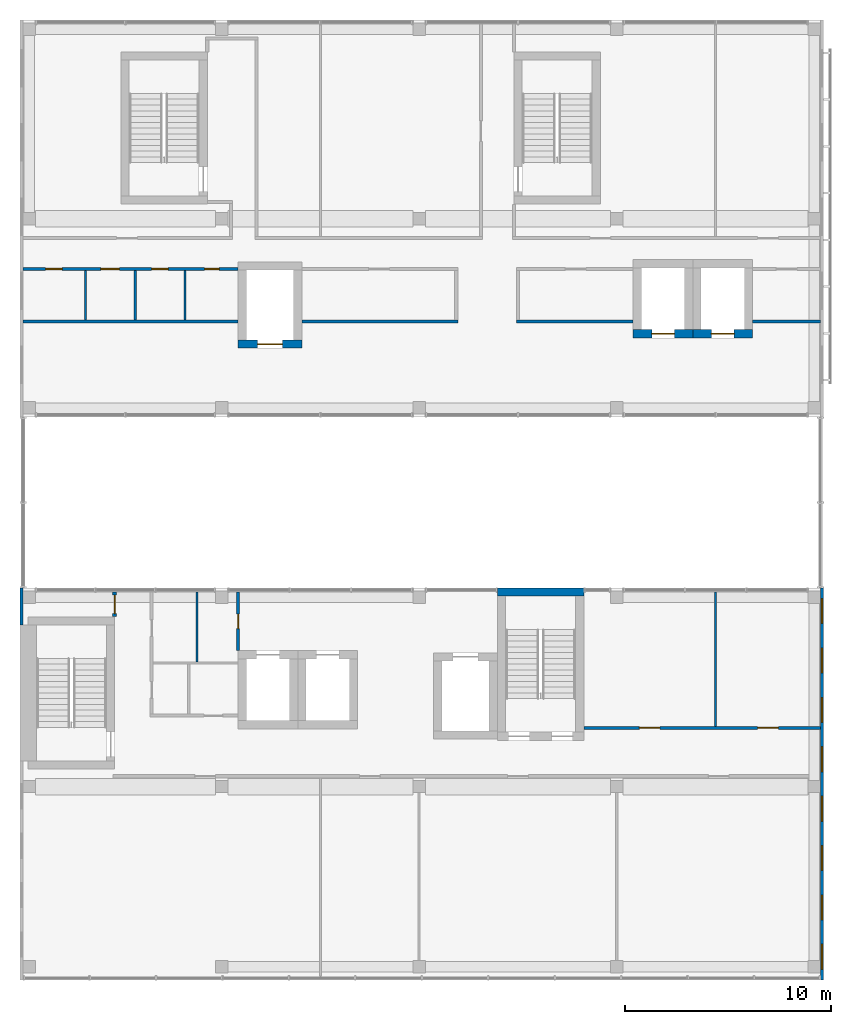
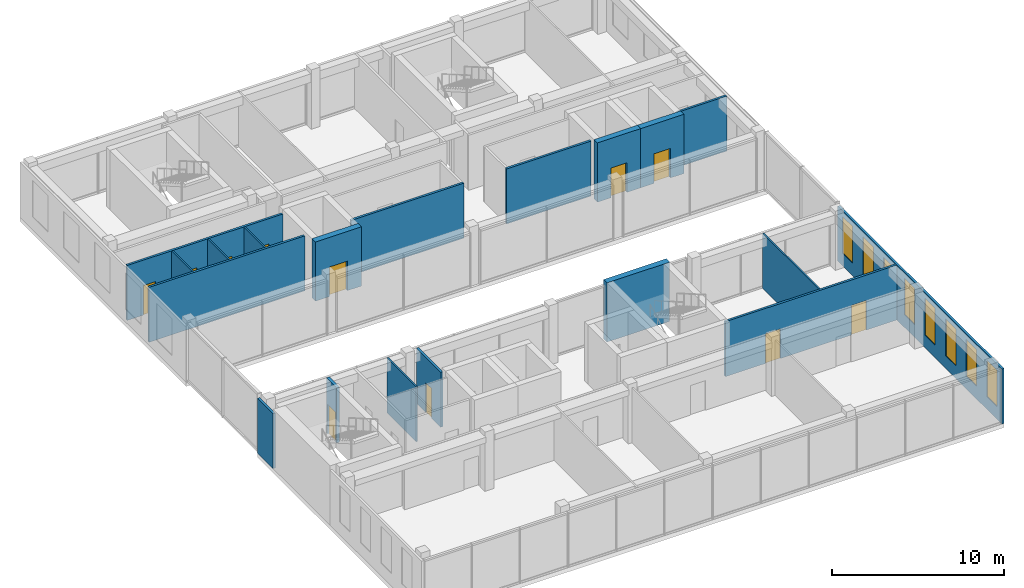
# One storey, part 20 of 28: 19 walls, 11 doors, 8 windows, 19 openings.
"""IFC4 building model written with IfcOpenShell, lengths in metres."""

from ifc_helpers import new_model, si_unit, direction, frame, frame_2d, origin, place, context, subcontext, project, spatial, rectangle, extrude, material, layer, layer_set, layer_usage, type_object, element, fill, save


model = new_model("IFC4")

# Units and contexts
model_context = context("Model", 3, precision=1e-05, world=origin(), true_north=direction((0.0, 1.0)))
body_context = subcontext(model_context, "Body", "Model", "MODEL_VIEW")
ifc_project = project(units=[si_unit("LENGTHUNIT", "METRE"), si_unit("AREAUNIT", "SQUARE_METRE"), si_unit("VOLUMEUNIT", "CUBIC_METRE"), si_unit("PLANEANGLEUNIT", "RADIAN"), si_unit("MASSUNIT", "GRAM", prefix="KILO")], contexts=[model_context])

# Site, building, storey
site_placement = place(None, origin())
site = spatial("IfcSite", under=ifc_project, at=site_placement, CompositionType="ELEMENT")
building_placement = place(site_placement, origin())
building = spatial("IfcBuilding", under=site, at=building_placement, Name="Nzadi Deep Aquarium and Research Tower", CompositionType="ELEMENT")
storey_placement = place(building_placement, frame((0.0, 0.0, 73.89990234375)))
storey = spatial("IfcBuildingStorey", under=building, at=storey_placement, Name="L15", CompositionType="ELEMENT", Elevation=73.89990234375)

# Wall
ifc_material_1 = material(Name="Concrete C35/45", Category="concrete")
ifc_layer_1 = layer(ifc_material_1, 0.10009765625, Category="cladding")
ifc_material_2 = material(Name="Mineral wool insulation")
ifc_layer_2 = layer(ifc_material_2, 0.050048828125, Category="insulation")
ifc_layer_set_1 = layer_set([ifc_layer_1, ifc_layer_2], Name="Concrete C35/45, Mineral wool insulation")
ifc_layer_usage_1 = layer_usage(ifc_layer_set_1, "AXIS2", "POSITIVE", -0.074951171875)
wall_type_1 = type_object("IfcWallType", Name="End wall board-formed concrete 150", PredefinedType="ELEMENTEDWALL", material=ifc_layer_set_1)
wall_1_placement = place(storey_placement, frame((-0.12451171875, 18.85009765625, 0.0), z_axis=(0.0, 0.0, 1.0), x_axis=(0.0, -1.0, 0.0)))
element("IfcWall", 1, at=wall_1_placement, inside=storey, type_object=wall_type_1, material=ifc_layer_usage_1, Name="End wall blade A west L15", PredefinedType="ELEMENTEDWALL", context=body_context, shape_type="SweptSolid", body=[
    extrude(rectangle(XDim=1.800048828125, YDim=0.14990234375, at=frame_2d((0.89990234375, 0.0))), origin(), (0.0, 0.0, 1.0), 3.900146484375),
])

# Wall, openings, windows
ifc_material_3 = material(Name="Graphite aluminium shingle", Category="aluminium")
ifc_layer_3 = layer(ifc_material_3, 0.0400390625, Category="cladding")
ifc_layer_4 = layer(ifc_material_1, 0.06005859375, Category="cladding")
ifc_layer_5 = layer(ifc_material_2, 0.050048828125, Category="insulation")
ifc_layer_set_2 = layer_set([ifc_layer_3, ifc_layer_4, ifc_layer_5], Name="Graphite aluminium shingle, Concrete C35/45, Mineral wool insulation")
ifc_layer_usage_2 = layer_usage(ifc_layer_set_2, "AXIS2", "POSITIVE", -0.074951171875)
wall_type_2 = type_object("IfcWallType", Name="End wall shingle over board-formed concrete 150", PredefinedType="ELEMENTEDWALL", material=ifc_layer_set_2)
wall_2_placement = place(storey_placement, frame((38.77490234375, -0.199951171875, 0.0), z_axis=(0.0, 0.0, 1.0), x_axis=(0.0, 1.0, 0.0)))
wall_2 = element("IfcWall", 2, at=wall_2_placement, inside=storey, type_object=wall_type_2, material=ifc_layer_usage_2, Name="End wall blade A east L15", PredefinedType="ELEMENTEDWALL", context=body_context, shape_type="SweptSolid", body=[
    extrude(rectangle(XDim=19.050048828125, YDim=0.14990234375, at=frame_2d((9.52490234375, 0.0))), origin(), (0.0, 0.0, 1.0), 3.900146484375),
])
opening_1_placement = place(wall_2_placement, frame((0.52490234375, 0.0, 0.89990234375)))
opening_1 = element("IfcOpeningElement", 3, at=opening_1_placement, cuts=wall_2, Name="Opening WN04", PredefinedType="OPENING", context=body_context, shape_type="SweptSolid", body=[
    extrude(rectangle(XDim=1.199951171875, YDim=2.60009765625, at=frame_2d((0.60009765625, 1.300048828125))), frame((0.0, 0.0849609375, 0.0), z_axis=(0.0, -1.0, 0.0), x_axis=(1.0, 0.0, 0.0)), (0.0, 0.0, 1.0), 0.169921875),
])
opening_2_placement = place(wall_2_placement, frame((2.925048828125, 0.0, 0.89990234375)))
opening_2 = element("IfcOpeningElement", 4, at=opening_2_placement, cuts=wall_2, Name="Opening WN04", PredefinedType="OPENING", context=body_context, shape_type="SweptSolid", body=[
    extrude(rectangle(XDim=1.199951171875, YDim=2.60009765625, at=frame_2d((0.60009765625, 1.300048828125))), frame((0.0, 0.0849609375, 0.0), z_axis=(0.0, -1.0, 0.0), x_axis=(1.0, 0.0, 0.0)), (0.0, 0.0, 1.0), 0.169921875),
])
opening_3_placement = place(wall_2_placement, frame((5.324951171875, 0.0, 0.89990234375)))
opening_3 = element("IfcOpeningElement", 5, at=opening_3_placement, cuts=wall_2, Name="Opening WN04", PredefinedType="OPENING", context=body_context, shape_type="SweptSolid", body=[
    extrude(rectangle(XDim=1.199951171875, YDim=2.60009765625, at=frame_2d((0.60009765625, 1.300048828125))), frame((0.0, 0.0849609375, 0.0), z_axis=(0.0, -1.0, 0.0), x_axis=(1.0, 0.0, 0.0)), (0.0, 0.0, 1.0), 0.169921875),
])
opening_4_placement = place(wall_2_placement, frame((7.72509765625, 0.0, 0.89990234375)))
opening_4 = element("IfcOpeningElement", 6, at=opening_4_placement, cuts=wall_2, Name="Opening WN04", PredefinedType="OPENING", context=body_context, shape_type="SweptSolid", body=[
    extrude(rectangle(XDim=1.199951171875, YDim=2.60009765625, at=frame_2d((0.60009765625, 1.300048828125))), frame((0.0, 0.0849609375, 0.0), z_axis=(0.0, -1.0, 0.0), x_axis=(1.0, 0.0, 0.0)), (0.0, 0.0, 1.0), 0.169921875),
])
opening_5_placement = place(wall_2_placement, frame((10.125, 0.0, 0.89990234375)))
opening_5 = element("IfcOpeningElement", 7, at=opening_5_placement, cuts=wall_2, Name="Opening WN04", PredefinedType="OPENING", context=body_context, shape_type="SweptSolid", body=[
    extrude(rectangle(XDim=1.199951171875, YDim=2.60009765625, at=frame_2d((0.60009765625, 1.300048828125))), frame((0.0, 0.0849609375, 0.0), z_axis=(0.0, -1.0, 0.0), x_axis=(1.0, 0.0, 0.0)), (0.0, 0.0, 1.0), 0.169921875),
])
opening_6_placement = place(wall_2_placement, frame((12.52490234375, 0.0, 0.89990234375)))
opening_6 = element("IfcOpeningElement", 8, at=opening_6_placement, cuts=wall_2, Name="Opening WN04", PredefinedType="OPENING", context=body_context, shape_type="SweptSolid", body=[
    extrude(rectangle(XDim=1.199951171875, YDim=2.60009765625, at=frame_2d((0.60009765625, 1.300048828125))), frame((0.0, 0.0849609375, 0.0), z_axis=(0.0, -1.0, 0.0), x_axis=(1.0, 0.0, 0.0)), (0.0, 0.0, 1.0), 0.169921875),
])
opening_7_placement = place(wall_2_placement, frame((14.925048828125, 0.0, 0.89990234375)))
opening_7 = element("IfcOpeningElement", 9, at=opening_7_placement, cuts=wall_2, Name="Opening WN04", PredefinedType="OPENING", context=body_context, shape_type="SweptSolid", body=[
    extrude(rectangle(XDim=1.199951171875, YDim=2.60009765625, at=frame_2d((0.60009765625, 1.300048828125))), frame((0.0, 0.0849609375, 0.0), z_axis=(0.0, -1.0, 0.0), x_axis=(1.0, 0.0, 0.0)), (0.0, 0.0, 1.0), 0.169921875),
])
opening_8_placement = place(wall_2_placement, frame((17.324951171875, 0.0, 0.89990234375)))
opening_8 = element("IfcOpeningElement", 10, at=opening_8_placement, cuts=wall_2, Name="Opening WN04", PredefinedType="OPENING", context=body_context, shape_type="SweptSolid", body=[
    extrude(rectangle(XDim=1.199951171875, YDim=2.60009765625, at=frame_2d((0.60009765625, 1.300048828125))), frame((0.0, 0.0849609375, 0.0), z_axis=(0.0, -1.0, 0.0), x_axis=(1.0, 0.0, 0.0)), (0.0, 0.0, 1.0), 0.169921875),
])
ifc_material_4 = material(Name="Aluminium window, sage tint glazing", Category="aluminium")
window_type = type_object("IfcWindowType", Name="Slot window 1200x2600 sill 900", PartitioningType="SINGLE_PANEL", PredefinedType="WINDOW", material=ifc_material_4)
window_1_placement = place(opening_1_placement, origin())
window_1 = element("IfcWindow", 11, at=window_1_placement, inside=storey, type_object=window_type, Name="Slot window L15 AE", OverallHeight=2.60009765625, OverallWidth=1.199951171875, PartitioningType="SINGLE_PANEL", PredefinedType="WINDOW", context=body_context, shape_type="SweptSolid", body=[
    extrude(rectangle(XDim=1.199951171875, YDim=2.60009765625, at=frame_2d((0.60009765625, 1.300048828125))), frame((0.0, 0.030029296875, 0.0), z_axis=(0.0, -1.0, 0.0), x_axis=(1.0, 0.0, 0.0)), (0.0, 0.0, 1.0), 0.06005859375),
])
fill(opening_1, window_1)
window_2_placement = place(opening_2_placement, origin())
window_2 = element("IfcWindow", 12, at=window_2_placement, inside=storey, type_object=window_type, Name="Slot window L15 AE", OverallHeight=2.60009765625, OverallWidth=1.199951171875, PartitioningType="SINGLE_PANEL", PredefinedType="WINDOW", context=body_context, shape_type="SweptSolid", body=[
    extrude(rectangle(XDim=1.199951171875, YDim=2.60009765625, at=frame_2d((0.60009765625, 1.300048828125))), frame((0.0, 0.030029296875, 0.0), z_axis=(0.0, -1.0, 0.0), x_axis=(1.0, 0.0, 0.0)), (0.0, 0.0, 1.0), 0.06005859375),
])
fill(opening_2, window_2)
window_3_placement = place(opening_3_placement, origin())
window_3 = element("IfcWindow", 13, at=window_3_placement, inside=storey, type_object=window_type, Name="Slot window L15 AE", OverallHeight=2.60009765625, OverallWidth=1.199951171875, PartitioningType="SINGLE_PANEL", PredefinedType="WINDOW", context=body_context, shape_type="SweptSolid", body=[
    extrude(rectangle(XDim=1.199951171875, YDim=2.60009765625, at=frame_2d((0.60009765625, 1.300048828125))), frame((0.0, 0.030029296875, 0.0), z_axis=(0.0, -1.0, 0.0), x_axis=(1.0, 0.0, 0.0)), (0.0, 0.0, 1.0), 0.06005859375),
])
fill(opening_3, window_3)
window_4_placement = place(opening_4_placement, origin())
window_4 = element("IfcWindow", 14, at=window_4_placement, inside=storey, type_object=window_type, Name="Slot window L15 AE", OverallHeight=2.60009765625, OverallWidth=1.199951171875, PartitioningType="SINGLE_PANEL", PredefinedType="WINDOW", context=body_context, shape_type="SweptSolid", body=[
    extrude(rectangle(XDim=1.199951171875, YDim=2.60009765625, at=frame_2d((0.60009765625, 1.300048828125))), frame((0.0, 0.030029296875, 0.0), z_axis=(0.0, -1.0, 0.0), x_axis=(1.0, 0.0, 0.0)), (0.0, 0.0, 1.0), 0.06005859375),
])
fill(opening_4, window_4)
window_5_placement = place(opening_5_placement, origin())
window_5 = element("IfcWindow", 15, at=window_5_placement, inside=storey, type_object=window_type, Name="Slot window L15 AE", OverallHeight=2.60009765625, OverallWidth=1.199951171875, PartitioningType="SINGLE_PANEL", PredefinedType="WINDOW", context=body_context, shape_type="SweptSolid", body=[
    extrude(rectangle(XDim=1.199951171875, YDim=2.60009765625, at=frame_2d((0.60009765625, 1.300048828125))), frame((0.0, 0.030029296875, 0.0), z_axis=(0.0, -1.0, 0.0), x_axis=(1.0, 0.0, 0.0)), (0.0, 0.0, 1.0), 0.06005859375),
])
fill(opening_5, window_5)
window_6_placement = place(opening_6_placement, origin())
window_6 = element("IfcWindow", 16, at=window_6_placement, inside=storey, type_object=window_type, Name="Slot window L15 AE", OverallHeight=2.60009765625, OverallWidth=1.199951171875, PartitioningType="SINGLE_PANEL", PredefinedType="WINDOW", context=body_context, shape_type="SweptSolid", body=[
    extrude(rectangle(XDim=1.199951171875, YDim=2.60009765625, at=frame_2d((0.60009765625, 1.300048828125))), frame((0.0, 0.030029296875, 0.0), z_axis=(0.0, -1.0, 0.0), x_axis=(1.0, 0.0, 0.0)), (0.0, 0.0, 1.0), 0.06005859375),
])
fill(opening_6, window_6)
window_7_placement = place(opening_7_placement, origin())
window_7 = element("IfcWindow", 17, at=window_7_placement, inside=storey, type_object=window_type, Name="Slot window L15 AE", OverallHeight=2.60009765625, OverallWidth=1.199951171875, PartitioningType="SINGLE_PANEL", PredefinedType="WINDOW", context=body_context, shape_type="SweptSolid", body=[
    extrude(rectangle(XDim=1.199951171875, YDim=2.60009765625, at=frame_2d((0.60009765625, 1.300048828125))), frame((0.0, 0.030029296875, 0.0), z_axis=(0.0, -1.0, 0.0), x_axis=(1.0, 0.0, 0.0)), (0.0, 0.0, 1.0), 0.06005859375),
])
fill(opening_7, window_7)
window_8_placement = place(opening_8_placement, origin())
window_8 = element("IfcWindow", 18, at=window_8_placement, inside=storey, type_object=window_type, Name="Slot window L15 AE", OverallHeight=2.60009765625, OverallWidth=1.199951171875, PartitioningType="SINGLE_PANEL", PredefinedType="WINDOW", context=body_context, shape_type="SweptSolid", body=[
    extrude(rectangle(XDim=1.199951171875, YDim=2.60009765625, at=frame_2d((0.60009765625, 1.300048828125))), frame((0.0, 0.030029296875, 0.0), z_axis=(0.0, -1.0, 0.0), x_axis=(1.0, 0.0, 0.0)), (0.0, 0.0, 1.0), 0.06005859375),
])
fill(opening_8, window_8)

# Walls
ifc_material_5 = material(Name="Blockwork masonry", Category="masonry")
ifc_layer_6 = layer(ifc_material_5, 0.10009765625)
ifc_layer_set_3 = layer_set([ifc_layer_6], Name="Blockwork masonry")
wall_type_3 = type_object("IfcWallType", Name="Partition 100 EI 30", PredefinedType="PARTITIONING", material=ifc_layer_set_3)
for number, where, z_axis, x_axis, name in (
    (19, (2.97900390625, 31.875, 0.0), (0.0, 0.0, 1.0), (0.0, 1.0, 0.0), "W-Z1-L15-P004"),
    (20, (5.402099609375, 31.875, 0.0), (0.0, 0.0, 1.0), (0.0, 1.0, 0.0), "W-Z1-L15-P007"),
    (21, (7.825439453125, 31.875, 0.0), (0.0, 0.0, 1.0), (0.0, 1.0, 0.0), "W-Z1-L15-P011"),
):
    element("IfcWall", number, at=place(storey_placement, frame(where, z_axis=z_axis, x_axis=x_axis)), inside=storey, type_object=wall_type_3, Name=name, PredefinedType="PARTITIONING", context=body_context, shape_type="SweptSolid", body=[
        extrude(rectangle(XDim=2.39990234375, YDim=0.10009765625, at=frame_2d((1.199951171875, 0.0))), origin(), (0.0, 0.0, 1.0), 3.900146484375),
    ])
wall_3_placement = place(storey_placement, frame((8.39990234375, 15.25, 0.0), z_axis=(0.0, 0.0, 1.0), x_axis=(0.0, 1.0, 0.0)))
element("IfcWall", 22, at=wall_3_placement, inside=storey, type_object=wall_type_3, Name="W-Z1-L15-P013", PredefinedType="PARTITIONING", context=body_context, shape_type="SweptSolid", body=[
    extrude(rectangle(XDim=3.39404296875, YDim=0.10009765625, at=frame_2d((1.697021484375, 0.0))), origin(), (0.0, 0.0, 1.0), 3.900146484375),
])
wall_4_placement = place(storey_placement, frame((33.60009765625, 12.125, 0.0), z_axis=(0.0, 0.0, 1.0), x_axis=(0.0, 1.0, 0.0)))
element("IfcWall", 23, at=wall_4_placement, inside=storey, type_object=wall_type_3, Name="W-Z1-L15-P036", PredefinedType="PARTITIONING", context=body_context, shape_type="SweptSolid", body=[
    extrude(rectangle(XDim=6.51904296875, YDim=0.10009765625, at=frame_2d((3.259521484375, 0.0))), origin(), (0.0, 0.0, 1.0), 3.900146484375),
])
ifc_material_6 = material(Name="Blockwork masonry", Category="masonry")
ifc_layer_7 = layer(ifc_material_6, 0.14990234375)
ifc_layer_set_4 = layer_set([ifc_layer_7], Name="Blockwork masonry")
wall_type_4 = type_object("IfcWallType", Name="Partition 150 EI 60", PredefinedType="PARTITIONING", material=ifc_layer_set_4)
wall_5_placement = place(storey_placement, frame((-0.0439453125, 31.800048828125, 0.0), z_axis=(0.0, 0.0, 1.0), x_axis=(1.0, 0.0, 0.0)))
element("IfcWall", 24, at=wall_5_placement, inside=storey, type_object=wall_type_4, Name="W-Z1-L15-P001", PredefinedType="PARTITIONING", context=body_context, shape_type="SweptSolid", body=[
    extrude(rectangle(XDim=10.43798828125, YDim=0.14990234375, at=frame_2d((5.218994140625, 0.0))), origin(), (0.0, 0.0, 1.0), 3.900146484375),
])

# Wall, openings, doors
wall_6_placement = place(storey_placement, frame((-0.0439453125, 34.35009765625, 0.0), z_axis=(0.0, 0.0, 1.0), x_axis=(1.0, 0.0, 0.0)))
wall_6 = element("IfcWall", 25, at=wall_6_placement, inside=storey, type_object=wall_type_4, Name="W-Z1-L15-P002", PredefinedType="PARTITIONING", context=body_context, shape_type="SweptSolid", body=[
    extrude(rectangle(XDim=10.43798828125, YDim=0.14990234375, at=frame_2d((5.218994140625, 0.0))), origin(), (0.0, 0.0, 1.0), 3.900146484375),
])
opening_9_placement = place(wall_6_placement, frame((1.093994140625, 0.0, 0.0)))
opening_9 = element("IfcOpeningElement", 26, at=opening_9_placement, cuts=wall_6, Name="Opening D161012", PredefinedType="OPENING", context=body_context, shape_type="SweptSolid", body=[
    extrude(rectangle(XDim=0.800048828125, YDim=2.10009765625, at=frame_2d((0.39990234375, 1.050048828125))), frame((0.0, 0.0849609375, 0.0), z_axis=(0.0, -1.0, 0.0), x_axis=(1.0, 0.0, 0.0)), (0.0, 0.0, 1.0), 0.169921875),
])
opening_10_placement = place(wall_6_placement, frame((3.77294921875, 0.0, 0.0)))
opening_10 = element("IfcOpeningElement", 27, at=opening_10_placement, cuts=wall_6, Name="Opening D161013", PredefinedType="OPENING", context=body_context, shape_type="SweptSolid", body=[
    extrude(rectangle(XDim=0.89990234375, YDim=2.10009765625, at=frame_2d((0.449951171875, 1.050048828125))), frame((0.0, 0.0849609375, 0.0), z_axis=(0.0, -1.0, 0.0), x_axis=(1.0, 0.0, 0.0)), (0.0, 0.0, 1.0), 0.169921875),
])
opening_11_placement = place(wall_6_placement, frame((6.24609375, 0.0, 0.0)))
opening_11 = element("IfcOpeningElement", 28, at=opening_11_placement, cuts=wall_6, Name="Opening D161014", PredefinedType="OPENING", context=body_context, shape_type="SweptSolid", body=[
    extrude(rectangle(XDim=0.800048828125, YDim=2.10009765625, at=frame_2d((0.39990234375, 1.050048828125))), frame((0.0, 0.0849609375, 0.0), z_axis=(0.0, -1.0, 0.0), x_axis=(1.0, 0.0, 0.0)), (0.0, 0.0, 1.0), 0.169921875),
])
opening_12_placement = place(wall_6_placement, frame((8.819091796875, 0.0, 0.0)))
opening_12 = element("IfcOpeningElement", 29, at=opening_12_placement, cuts=wall_6, Name="Opening D161015", PredefinedType="OPENING", context=body_context, shape_type="SweptSolid", body=[
    extrude(rectangle(XDim=0.699951171875, YDim=2.10009765625, at=frame_2d((0.35009765625, 1.050048828125))), frame((0.0, 0.0849609375, 0.0), z_axis=(0.0, -1.0, 0.0), x_axis=(1.0, 0.0, 0.0)), (0.0, 0.0, 1.0), 0.169921875),
])
ifc_material_7 = material(Name="Fire-rated steel door", Category="steel")
ifc_layer_8 = layer(ifc_material_7, 0.050048828125)
ifc_layer_set_5 = layer_set([ifc_layer_8], Name="Fire-rated steel door")
door_type_1 = type_object("IfcDoorType", Name="Door 700x2100 EI 60 single", OperationType="SINGLE_SWING_LEFT", PredefinedType="DOOR", material=ifc_layer_set_5)
door_1_placement = place(opening_12_placement, origin())
door_1 = element("IfcDoor", 30, at=door_1_placement, inside=storey, type_object=door_type_1, Name="D161015", OperationType="SINGLE_SWING_LEFT", OverallHeight=2.10009765625, OverallWidth=0.699951171875, PredefinedType="DOOR", context=body_context, shape_type="SweptSolid", body=[
    extrude(rectangle(XDim=0.699951171875, YDim=2.10009765625, at=frame_2d((0.35009765625, 1.050048828125))), frame((0.0, 0.02490234375, 0.0), z_axis=(0.0, -1.0, 0.0), x_axis=(1.0, 0.0, 0.0)), (0.0, 0.0, 1.0), 0.050048828125),
])
fill(opening_12, door_1)
ifc_material_8 = material(Name="Fire-rated steel door", Category="steel")
ifc_layer_9 = layer(ifc_material_8, 0.050048828125)
ifc_layer_set_6 = layer_set([ifc_layer_9], Name="Fire-rated steel door")
door_type_2 = type_object("IfcDoorType", Name="Door 800x2100 EI 60 single", OperationType="SINGLE_SWING_LEFT", PredefinedType="DOOR", material=ifc_layer_set_6)
door_2_placement = place(opening_9_placement, origin())
door_2 = element("IfcDoor", 31, at=door_2_placement, inside=storey, type_object=door_type_2, Name="D161012", OperationType="SINGLE_SWING_RIGHT", OverallHeight=2.10009765625, OverallWidth=0.800048828125, PredefinedType="DOOR", context=body_context, shape_type="SweptSolid", body=[
    extrude(rectangle(XDim=0.800048828125, YDim=2.10009765625, at=frame_2d((0.39990234375, 1.050048828125))), frame((0.0, 0.02490234375, 0.0), z_axis=(0.0, -1.0, 0.0), x_axis=(1.0, 0.0, 0.0)), (0.0, 0.0, 1.0), 0.050048828125),
])
fill(opening_9, door_2)
door_3_placement = place(opening_11_placement, origin())
door_3 = element("IfcDoor", 32, at=door_3_placement, inside=storey, type_object=door_type_2, Name="D161014", OperationType="SINGLE_SWING_LEFT", OverallHeight=2.10009765625, OverallWidth=0.800048828125, PredefinedType="DOOR", context=body_context, shape_type="SweptSolid", body=[
    extrude(rectangle(XDim=0.800048828125, YDim=2.10009765625, at=frame_2d((0.39990234375, 1.050048828125))), frame((0.0, 0.02490234375, 0.0), z_axis=(0.0, -1.0, 0.0), x_axis=(1.0, 0.0, 0.0)), (0.0, 0.0, 1.0), 0.050048828125),
])
fill(opening_11, door_3)
ifc_material_9 = material(Name="Fire-rated steel door", Category="steel")
ifc_layer_10 = layer(ifc_material_9, 0.050048828125)
ifc_layer_set_7 = layer_set([ifc_layer_10], Name="Fire-rated steel door")
door_type_3 = type_object("IfcDoorType", Name="Door 900x2100 EI 60 single", OperationType="SINGLE_SWING_LEFT", PredefinedType="DOOR", material=ifc_layer_set_7)
door_4_placement = place(opening_10_placement, origin())
door_4 = element("IfcDoor", 33, at=door_4_placement, inside=storey, type_object=door_type_3, Name="D161013", OperationType="SINGLE_SWING_LEFT", OverallHeight=2.10009765625, OverallWidth=0.89990234375, PredefinedType="DOOR", context=body_context, shape_type="SweptSolid", body=[
    extrude(rectangle(XDim=0.89990234375, YDim=2.10009765625, at=frame_2d((0.449951171875, 1.050048828125))), frame((0.0, 0.02490234375, 0.0), z_axis=(0.0, -1.0, 0.0), x_axis=(1.0, 0.0, 0.0)), (0.0, 0.0, 1.0), 0.050048828125),
])
fill(opening_10, door_4)

# Wall, opening, door
wall_7_placement = place(storey_placement, frame((10.39990234375, 15.805908203125, 0.0), z_axis=(0.0, 0.0, 1.0), x_axis=(0.0, 1.0, 0.0)))
wall_7 = element("IfcWall", 34, at=wall_7_placement, inside=storey, type_object=wall_type_4, Name="W-Z1-L15-P018", PredefinedType="PARTITIONING", context=body_context, shape_type="SweptSolid", body=[
    extrude(rectangle(XDim=2.838134765625, YDim=0.14990234375, at=frame_2d((1.4189453125, 0.0))), origin(), (0.0, 0.0, 1.0), 3.900146484375),
])
opening_13_placement = place(wall_7_placement, frame((1.073974609375, 0.0, 0.0)))
opening_13 = element("IfcOpeningElement", 35, at=opening_13_placement, cuts=wall_7, Name="Opening D161005", PredefinedType="OPENING", context=body_context, shape_type="SweptSolid", body=[
    extrude(rectangle(XDim=0.699951171875, YDim=2.10009765625, at=frame_2d((0.35009765625, 1.050048828125))), frame((0.0, 0.0849609375, 0.0), z_axis=(0.0, -1.0, 0.0), x_axis=(1.0, 0.0, 0.0)), (0.0, 0.0, 1.0), 0.169921875),
])
door_5_placement = place(opening_13_placement, origin())
door_5 = element("IfcDoor", 36, at=door_5_placement, inside=storey, type_object=door_type_1, Name="D161005", OperationType="SINGLE_SWING_LEFT", OverallHeight=2.10009765625, OverallWidth=0.699951171875, PredefinedType="DOOR", context=body_context, shape_type="SweptSolid", body=[
    extrude(rectangle(XDim=0.699951171875, YDim=2.10009765625, at=frame_2d((0.35009765625, 1.050048828125))), frame((0.0, 0.02490234375, 0.0), z_axis=(0.0, -1.0, 0.0), x_axis=(1.0, 0.0, 0.0)), (0.0, 0.0, 1.0), 0.050048828125),
])
fill(opening_13, door_5)

# Walls
wall_8_placement = place(storey_placement, frame((13.506103515625, 31.800048828125, 0.0), z_axis=(0.0, 0.0, 1.0), x_axis=(1.0, 0.0, 0.0)))
element("IfcWall", 37, at=wall_8_placement, inside=storey, type_object=wall_type_4, Name="W-Z1-L15-P021", PredefinedType="PARTITIONING", context=body_context, shape_type="SweptSolid", body=[
    extrude(rectangle(XDim=7.56884765625, YDim=0.14990234375, at=frame_2d((3.784423828125, 0.0))), origin(), (0.0, 0.0, 1.0), 3.900146484375),
])
wall_9_placement = place(storey_placement, frame((23.925048828125, 31.800048828125, 0.0), z_axis=(0.0, 0.0, 1.0), x_axis=(1.0, 0.0, 0.0)))
element("IfcWall", 38, at=wall_9_placement, inside=storey, type_object=wall_type_4, Name="W-Z1-L15-P031", PredefinedType="PARTITIONING", context=body_context, shape_type="SweptSolid", body=[
    extrude(rectangle(XDim=5.6689453125, YDim=0.14990234375, at=frame_2d((2.83447265625, 0.0))), origin(), (0.0, 0.0, 1.0), 3.900146484375),
])

# Wall, openings, doors
wall_10_placement = place(storey_placement, frame((27.2060546875, 12.050048828125, 0.0), z_axis=(0.0, 0.0, 1.0), x_axis=(1.0, 0.0, 0.0)))
wall_10 = element("IfcWall", 39, at=wall_10_placement, inside=storey, type_object=wall_type_4, Name="W-Z1-L15-P034", PredefinedType="PARTITIONING", context=body_context, shape_type="SweptSolid", body=[
    extrude(rectangle(XDim=11.488037109375, YDim=0.14990234375, at=frame_2d((5.744140625, 0.0))), origin(), (0.0, 0.0, 1.0), 3.900146484375),
])
opening_14_placement = place(wall_10_placement, frame((2.694091796875, 0.0, 0.0)))
opening_14 = element("IfcOpeningElement", 40, at=opening_14_placement, cuts=wall_10, Name="Opening D161010", PredefinedType="OPENING", context=body_context, shape_type="SweptSolid", body=[
    extrude(rectangle(XDim=1.0, YDim=2.10009765625, at=frame_2d((0.5, 1.050048828125))), frame((0.0, 0.0849609375, 0.0), z_axis=(0.0, -1.0, 0.0), x_axis=(1.0, 0.0, 0.0)), (0.0, 0.0, 1.0), 0.169921875),
])
opening_15_placement = place(wall_10_placement, frame((8.444091796875, 0.0, 0.0)))
opening_15 = element("IfcOpeningElement", 41, at=opening_15_placement, cuts=wall_10, Name="Opening D161011", PredefinedType="OPENING", context=body_context, shape_type="SweptSolid", body=[
    extrude(rectangle(XDim=1.0, YDim=2.10009765625, at=frame_2d((0.5, 1.050048828125))), frame((0.0, 0.0849609375, 0.0), z_axis=(0.0, -1.0, 0.0), x_axis=(1.0, 0.0, 0.0)), (0.0, 0.0, 1.0), 0.169921875),
])
ifc_material_10 = material(Name="Fire-rated steel door", Category="steel")
ifc_layer_11 = layer(ifc_material_10, 0.050048828125)
ifc_layer_set_8 = layer_set([ifc_layer_11], Name="Fire-rated steel door")
door_type_4 = type_object("IfcDoorType", Name="Door 1000x2100 EI 60 single", OperationType="SINGLE_SWING_LEFT", PredefinedType="DOOR", material=ifc_layer_set_8)
door_6_placement = place(opening_14_placement, origin())
door_6 = element("IfcDoor", 42, at=door_6_placement, inside=storey, type_object=door_type_4, Name="D161010", OperationType="SINGLE_SWING_LEFT", OverallHeight=2.10009765625, OverallWidth=1.0, PredefinedType="DOOR", context=body_context, shape_type="SweptSolid", body=[
    extrude(rectangle(XDim=1.0, YDim=2.10009765625, at=frame_2d((0.5, 1.050048828125))), frame((0.0, 0.02490234375, 0.0), z_axis=(0.0, -1.0, 0.0), x_axis=(1.0, 0.0, 0.0)), (0.0, 0.0, 1.0), 0.050048828125),
])
fill(opening_14, door_6)
door_7_placement = place(opening_15_placement, origin())
door_7 = element("IfcDoor", 43, at=door_7_placement, inside=storey, type_object=door_type_4, Name="D161011", OperationType="SINGLE_SWING_RIGHT", OverallHeight=2.10009765625, OverallWidth=1.0, PredefinedType="DOOR", context=body_context, shape_type="SweptSolid", body=[
    extrude(rectangle(XDim=1.0, YDim=2.10009765625, at=frame_2d((0.5, 1.050048828125))), frame((0.0, 0.02490234375, 0.0), z_axis=(0.0, -1.0, 0.0), x_axis=(1.0, 0.0, 0.0)), (0.0, 0.0, 1.0), 0.050048828125),
])
fill(opening_15, door_7)

# Wall
wall_11_placement = place(storey_placement, frame((35.406005859375, 31.800048828125, 0.0), z_axis=(0.0, 0.0, 1.0), x_axis=(1.0, 0.0, 0.0)))
element("IfcWall", 44, at=wall_11_placement, inside=storey, type_object=wall_type_4, Name="W-Z1-L15-P038", PredefinedType="PARTITIONING", context=body_context, shape_type="SweptSolid", body=[
    extrude(rectangle(XDim=3.2880859375, YDim=0.14990234375, at=frame_2d((1.64404296875, 0.0))), origin(), (0.0, 0.0, 1.0), 3.900146484375),
])

# Wall, opening, door
ifc_material_11 = material(Name="Blockwork masonry", Category="masonry")
ifc_layer_12 = layer(ifc_material_11, 0.199951171875)
ifc_layer_set_9 = layer_set([ifc_layer_12], Name="Blockwork masonry")
wall_type_5 = type_object("IfcWallType", Name="Partition 200 EI 120", PredefinedType="PARTITIONING", material=ifc_layer_set_9)
wall_12_placement = place(storey_placement, frame((4.39990234375, 17.4560546875, 0.0), z_axis=(0.0, 0.0, 1.0), x_axis=(0.0, 1.0, 0.0)))
wall_12 = element("IfcWall", 45, at=wall_12_placement, inside=storey, type_object=wall_type_5, Name="W-Z1-L15-P005", PredefinedType="PARTITIONING", context=body_context, shape_type="SweptSolid", body=[
    extrude(rectangle(XDim=1.18798828125, YDim=0.199951171875, at=frame_2d((0.593994140625, 0.0))), origin(), (0.0, 0.0, 1.0), 3.900146484375),
])
opening_16_placement = place(wall_12_placement, frame((0.14404296875, 0.0, 0.0)))
opening_16 = element("IfcOpeningElement", 46, at=opening_16_placement, cuts=wall_12, Name="Opening D161001", PredefinedType="OPENING", context=body_context, shape_type="SweptSolid", body=[
    extrude(rectangle(XDim=0.89990234375, YDim=2.10009765625, at=frame_2d((0.449951171875, 1.050048828125))), frame((0.0, 0.110107421875, 0.0), z_axis=(0.0, -1.0, 0.0), x_axis=(1.0, 0.0, 0.0)), (0.0, 0.0, 1.0), 0.22021484375),
])
ifc_material_12 = material(Name="Fire-rated steel door", Category="steel")
ifc_layer_13 = layer(ifc_material_12, 0.050048828125)
ifc_layer_set_10 = layer_set([ifc_layer_13], Name="Fire-rated steel door")
door_type_5 = type_object("IfcDoorType", Name="Door 900x2100 EI 120 single", OperationType="SINGLE_SWING_LEFT", PredefinedType="DOOR", material=ifc_layer_set_10)
door_8_placement = place(opening_16_placement, origin())
door_8 = element("IfcDoor", 47, at=door_8_placement, inside=storey, type_object=door_type_5, Name="D161001", OperationType="SINGLE_SWING_LEFT", OverallHeight=2.10009765625, OverallWidth=0.89990234375, PredefinedType="DOOR", context=body_context, shape_type="SweptSolid", body=[
    extrude(rectangle(XDim=0.89990234375, YDim=2.10009765625, at=frame_2d((0.449951171875, 1.050048828125))), frame((0.0, 0.02490234375, 0.0), z_axis=(0.0, -1.0, 0.0), x_axis=(1.0, 0.0, 0.0)), (0.0, 0.0, 1.0), 0.050048828125),
])
fill(opening_16, door_8)

# Wall
ifc_material_13 = material(Name="Concrete C35/45", Category="concrete")
ifc_layer_14 = layer(ifc_material_13, 0.39990234375)
ifc_layer_set_11 = layer_set([ifc_layer_14], Name="Concrete C35/45")
wall_type_6 = type_object("IfcWallType", Name="RC core wall 400", PredefinedType="SHEAR", material=ifc_layer_set_11)
wall_13_placement = place(storey_placement, frame((23.0, 18.64990234375, 0.0), z_axis=(0.0, 0.0, 1.0), x_axis=(1.0, 0.0, 0.0)))
element("IfcWall", 48, at=wall_13_placement, inside=storey, type_object=wall_type_6, Name="W-CORE-ST-Z1-SE-L15-N", PredefinedType="SHEAR", context=body_context, shape_type="SweptSolid", body=[
    extrude(rectangle(XDim=4.199951171875, YDim=0.39990234375, at=frame_2d((2.10009765625, 0.0))), origin(), (0.0, 0.0, 1.0), 4.2001953125),
])

# Wall, opening, door
wall_14_placement = place(storey_placement, frame((10.39990234375, 30.699951171875, 0.0), z_axis=(0.0, 0.0, 1.0), x_axis=(1.0, 0.0, 0.0)))
wall_14 = element("IfcWall", 49, at=wall_14_placement, inside=storey, type_object=wall_type_6, Name="W-CORE-FL2-L15-S", PredefinedType="SHEAR", context=body_context, shape_type="SweptSolid", body=[
    extrude(rectangle(XDim=3.10009765625, YDim=0.39990234375, at=frame_2d((1.550048828125, 0.0))), origin(), (0.0, 0.0, 1.0), 4.2001953125),
])
opening_17_placement = place(wall_14_placement, frame((0.949951171875, 0.0, 0.0)))
opening_17 = element("IfcOpeningElement", 50, at=opening_17_placement, cuts=wall_14, Name="Opening LD-FL2-L15", PredefinedType="OPENING", context=body_context, shape_type="SweptSolid", body=[
    extrude(rectangle(XDim=1.199951171875, YDim=2.10009765625, at=frame_2d((0.60009765625, 1.050048828125))), frame((0.0, 0.2099609375, 0.0), z_axis=(0.0, -1.0, 0.0), x_axis=(1.0, 0.0, 0.0)), (0.0, 0.0, 1.0), 0.419921875),
])
ifc_material_14 = material(Name="Stainless steel 1.4301", Category="steel")
door_type_6 = type_object("IfcDoorType", Name="LANDING DOOR 1200x2100", OperationType="DOUBLE_DOOR_SLIDING", PredefinedType="DOOR", material=ifc_material_14)
door_9_placement = place(opening_17_placement, origin())
door_9 = element("IfcDoor", 51, at=door_9_placement, inside=storey, type_object=door_type_6, Name="Landing door FL2 L15", OperationType="DOUBLE_DOOR_SLIDING", OverallHeight=2.10009765625, OverallWidth=1.199951171875, PredefinedType="DOOR", context=body_context, shape_type="SweptSolid", body=[
    extrude(rectangle(XDim=1.199951171875, YDim=2.10009765625, at=frame_2d((0.60009765625, 1.050048828125))), frame((0.0, 0.02490234375, 0.0), z_axis=(0.0, -1.0, 0.0), x_axis=(1.0, 0.0, 0.0)), (0.0, 0.0, 1.0), 0.050048828125),
])
fill(opening_17, door_9)

wall_15_placement = place(storey_placement, frame((29.60009765625, 31.199951171875, 0.0), z_axis=(0.0, 0.0, 1.0), x_axis=(1.0, 0.0, 0.0)))
wall_15 = element("IfcWall", 52, at=wall_15_placement, inside=storey, type_object=wall_type_6, Name="W-CORE-TL3-L15-S", PredefinedType="SHEAR", context=body_context, shape_type="SweptSolid", body=[
    extrude(rectangle(XDim=2.89990234375, YDim=0.39990234375, at=frame_2d((1.449951171875, 0.0))), origin(), (0.0, 0.0, 1.0), 4.2001953125),
])
opening_18_placement = place(wall_15_placement, frame((0.89990234375, 0.0, 0.0)))
opening_18 = element("IfcOpeningElement", 53, at=opening_18_placement, cuts=wall_15, Name="Opening LD-TL3-L15", PredefinedType="OPENING", context=body_context, shape_type="SweptSolid", body=[
    extrude(rectangle(XDim=1.10009765625, YDim=2.10009765625, at=frame_2d((0.550048828125, 1.050048828125))), frame((0.0, 0.2099609375, 0.0), z_axis=(0.0, -1.0, 0.0), x_axis=(1.0, 0.0, 0.0)), (0.0, 0.0, 1.0), 0.419921875),
])
ifc_material_15 = material(Name="Stainless steel 1.4301", Category="steel")
door_type_7 = type_object("IfcDoorType", Name="LANDING DOOR 1100x2100", OperationType="DOUBLE_DOOR_SLIDING", PredefinedType="DOOR", material=ifc_material_15)
door_10_placement = place(opening_18_placement, origin())
door_10 = element("IfcDoor", 54, at=door_10_placement, inside=storey, type_object=door_type_7, Name="Landing door TL3 L15", OperationType="DOUBLE_DOOR_SLIDING", OverallHeight=2.10009765625, OverallWidth=1.10009765625, PredefinedType="DOOR", context=body_context, shape_type="SweptSolid", body=[
    extrude(rectangle(XDim=1.10009765625, YDim=2.10009765625, at=frame_2d((0.550048828125, 1.050048828125))), frame((0.0, 0.02490234375, 0.0), z_axis=(0.0, -1.0, 0.0), x_axis=(1.0, 0.0, 0.0)), (0.0, 0.0, 1.0), 0.050048828125),
])
fill(opening_18, door_10)

wall_16_placement = place(storey_placement, frame((32.5, 31.199951171875, 0.0), z_axis=(0.0, 0.0, 1.0), x_axis=(1.0, 0.0, 0.0)))
wall_16 = element("IfcWall", 55, at=wall_16_placement, inside=storey, type_object=wall_type_6, Name="W-CORE-TL4-L15-S", PredefinedType="SHEAR", context=body_context, shape_type="SweptSolid", body=[
    extrude(rectangle(XDim=2.89990234375, YDim=0.39990234375, at=frame_2d((1.449951171875, 0.0))), origin(), (0.0, 0.0, 1.0), 4.2001953125),
])
opening_19_placement = place(wall_16_placement, frame((0.89990234375, 0.0, 0.0)))
opening_19 = element("IfcOpeningElement", 56, at=opening_19_placement, cuts=wall_16, Name="Opening LD-TL4-L15", PredefinedType="OPENING", context=body_context, shape_type="SweptSolid", body=[
    extrude(rectangle(XDim=1.10009765625, YDim=2.10009765625, at=frame_2d((0.550048828125, 1.050048828125))), frame((0.0, 0.2099609375, 0.0), z_axis=(0.0, -1.0, 0.0), x_axis=(1.0, 0.0, 0.0)), (0.0, 0.0, 1.0), 0.419921875),
])
door_11_placement = place(opening_19_placement, origin())
door_11 = element("IfcDoor", 57, at=door_11_placement, inside=storey, type_object=door_type_7, Name="Landing door TL4 L15", OperationType="DOUBLE_DOOR_SLIDING", OverallHeight=2.10009765625, OverallWidth=1.10009765625, PredefinedType="DOOR", context=body_context, shape_type="SweptSolid", body=[
    extrude(rectangle(XDim=1.10009765625, YDim=2.10009765625, at=frame_2d((0.550048828125, 1.050048828125))), frame((0.0, 0.02490234375, 0.0), z_axis=(0.0, -1.0, 0.0), x_axis=(1.0, 0.0, 0.0)), (0.0, 0.0, 1.0), 0.050048828125),
])
fill(opening_19, door_11)

save(model, "model.ifc")
